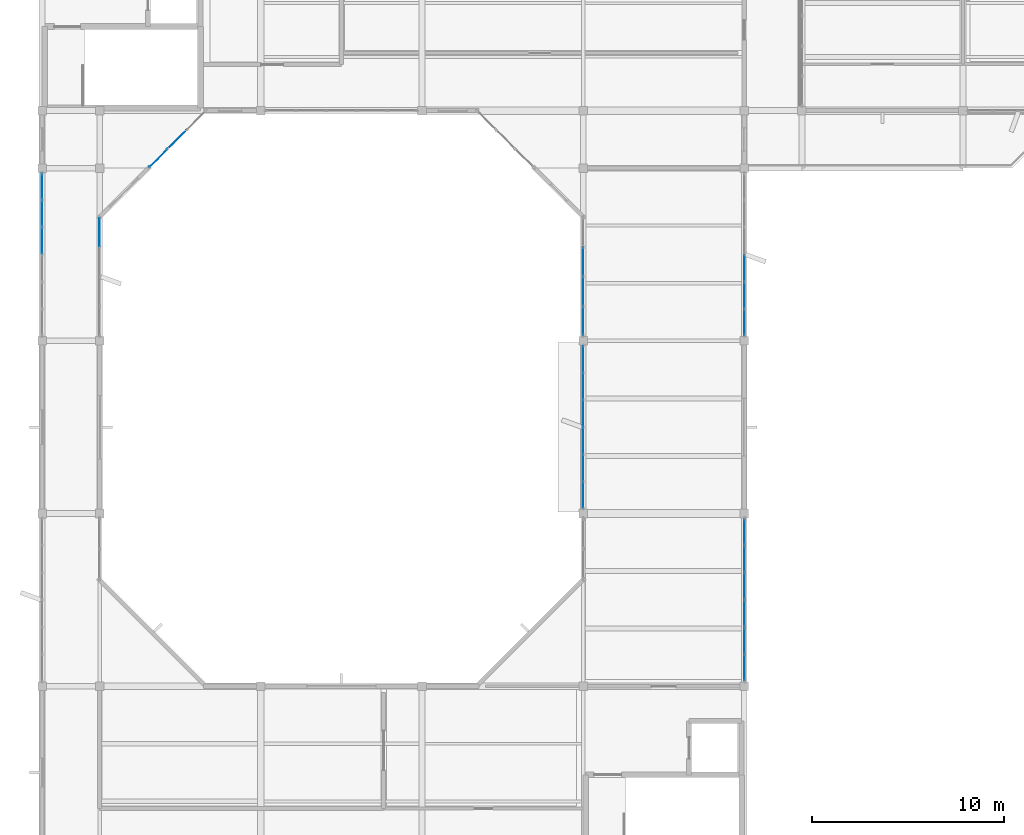
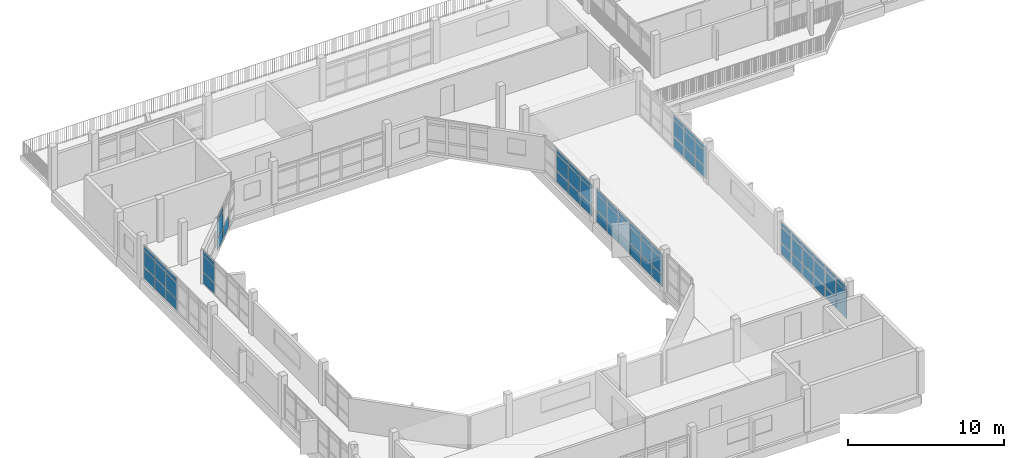
# One storey, part 16 of 33: 70 plates, 7 elements without a shape of their own.
"""IFC4 building model written with IfcOpenShell, lengths in metres."""

import ifcopenshell
import ifcopenshell.guid

model = None  # the IFC model being written
_history = None  # IfcOwnerHistory: only IFC2X3 demands one
_inside = {}  # id of a spatial element -> (the spatial element, [elements in it])
_under = {}  # id of a project, library or spatial element -> (it, [spatial elements below it])
_declared = {}  # id of a project -> (the project, [libraries it declares])
_typed = {}  # id of a type object -> (the type object, [elements of that type])
_made_of = {}  # id of a material, layer set ... -> (it, [elements and type objects made of it])


def new_model(schema):
    """Start an empty IFC model of exactly this schema.

    Asked for "IFC4X3", IfcOpenShell would pick the latest addendum, in which some entities
    have other attributes; the version numbers below select the first issue.
    IFC2X3 requires an IfcOwnerHistory on every rooted entity: one is made here for all.
    """
    global model, _history
    if schema == "IFC4X3":
        model = ifcopenshell.file(schema_version=(4, 3, 0, 0))
    else:
        model = ifcopenshell.file(schema=schema)
    _inside.clear()
    _under.clear()
    _declared.clear()
    _typed.clear()
    _made_of.clear()
    _history = None
    if model.schema == "IFC2X3":
        org = make("IfcOrganization", Name="unknown")
        user = make(
            "IfcPersonAndOrganization",
            ThePerson=make("IfcPerson", FamilyName="unknown"),
            TheOrganization=org,
        )
        app = make(
            "IfcApplication",
            ApplicationDeveloper=org,
            Version="unknown",
            ApplicationFullName="unknown",
            ApplicationIdentifier="unknown",
        )
        _history = make(
            "IfcOwnerHistory",
            OwningUser=user,
            OwningApplication=app,
            ChangeAction="ADDED",
            CreationDate=0,
        )
    return model


def make(cls, **values):
    """One entity of the class cls with the attributes given. An attribute that is None is left unset."""
    return model.create_entity(
        cls, **{name: value for name, value in values.items() if value is not None}
    )


def rooted(cls, **values):
    """An entity with a GlobalId (a new one), such as an element, a storey or a relation."""
    return make(cls, GlobalId=ifcopenshell.guid.new(), OwnerHistory=_history, **values)


def si_unit(unit_type, name, prefix=None):
    """IfcSIUnit, for example si_unit("LENGTHUNIT", "METRE", prefix="MILLI")."""
    return make("IfcSIUnit", UnitType=unit_type, Prefix=prefix, Name=name)


def assignment(units):
    """IfcUnitAssignment: the units of a project."""
    return None if units is None else make("IfcUnitAssignment", Units=units)


def point(xyz):
    """IfcCartesianPoint."""
    return None if xyz is None else make("IfcCartesianPoint", Coordinates=xyz)


def direction(xyz):
    """IfcDirection."""
    return None if xyz is None else make("IfcDirection", DirectionRatios=xyz)


def frame(location, z_axis=None, x_axis=None):
    """IfcAxis2Placement3D, a coordinate frame: its origin and axes. An axis left out is left unset."""
    return make(
        "IfcAxis2Placement3D",
        Location=point(location),
        Axis=direction(z_axis),
        RefDirection=direction(x_axis),
    )


def frame_2d(location, x_axis=None):
    """IfcAxis2Placement2D, a coordinate frame in the plane: its origin and x axis."""
    return make(
        "IfcAxis2Placement2D", Location=point(location), RefDirection=direction(x_axis)
    )


def origin():
    """The frame at (0, 0, 0) with its axes left unset."""
    return frame((0.0, 0.0, 0.0))


def origin_2d():
    """The frame at (0, 0) in the plane with its x axis left unset."""
    return frame_2d((0.0, 0.0))


def place(relative_to, where):
    """IfcLocalPlacement: puts the frame where relative to a parent placement (None: the world)."""
    return make(
        "IfcLocalPlacement", PlacementRelTo=relative_to, RelativePlacement=where
    )


def context(
    kind, dimensions, precision=None, world=None, true_north=None, identifier=None
):
    """IfcGeometricRepresentationContext, for example the 3D "Model" context."""
    return make(
        "IfcGeometricRepresentationContext",
        ContextIdentifier=identifier,
        ContextType=kind,
        CoordinateSpaceDimension=dimensions,
        Precision=precision,
        WorldCoordinateSystem=world,
        TrueNorth=true_north,
    )


def subcontext(parent, identifier, kind, view, scale=None):
    """IfcGeometricRepresentationSubContext, for example "Body" below "Model"."""
    return make(
        "IfcGeometricRepresentationSubContext",
        ContextIdentifier=identifier,
        ContextType=kind,
        ParentContext=parent,
        TargetScale=scale,
        TargetView=view,
    )


def project(units=None, contexts=None):
    """IfcProject with its units and contexts."""
    return rooted(
        "IfcProject",
        Name="project",
        RepresentationContexts=contexts,
        UnitsInContext=assignment(units),
    )


def spatial(cls, under=None, at=None, **own):
    """A site, building, storey or space (cls), placed at a placement, below another one or the project."""
    s = rooted(cls, ObjectPlacement=at, **own)
    if under is not None:
        _under.setdefault(under.id(), (under, []))[1].append(s)
    return s


def profile(cls, at=None, kind="AREA", **sizes):
    """A parametric profile (cls). Its sizes go by their IFC names, for example OverallWidth=200.0."""
    return make(cls, ProfileType=kind, Position=at, **sizes)


def rectangle(**sizes):
    """IfcRectangleProfileDef."""
    return profile("IfcRectangleProfileDef", **sizes)


def extrude(swept, where, along, depth):
    """IfcExtrudedAreaSolid: the profile swept, set in the frame where, extruded along a direction by depth."""
    return make(
        "IfcExtrudedAreaSolid",
        SweptArea=swept,
        Position=where,
        ExtrudedDirection=direction(along),
        Depth=depth,
    )


def shape(context_of_items, identifier, shape_type, items):
    """IfcShapeRepresentation: the items that make up one representation, for example the "Body"."""
    return make(
        "IfcShapeRepresentation",
        ContextOfItems=context_of_items,
        RepresentationIdentifier=identifier,
        RepresentationType=shape_type,
        Items=items,
    )


def material(Name=None, Category=None):
    """IfcMaterial."""
    return make("IfcMaterial", Name=Name, Category=Category)


def layer(
    of_material, thickness, ventilated=None, Name=None, Category=None, Priority=None
):
    """IfcMaterialLayer: one layer of a wall or slab, of a material (None: an air gap)."""
    return make(
        "IfcMaterialLayer",
        Material=of_material,
        LayerThickness=thickness,
        IsVentilated=ventilated,
        Name=Name,
        Category=Category,
        Priority=Priority,
    )


def layer_set(layers, Name=None):
    """IfcMaterialLayerSet."""
    return make("IfcMaterialLayerSet", MaterialLayers=layers, LayerSetName=Name)


def made_of(thing, what):
    """Note that an element or type object is made of a material, layer set ...; save() writes the relation."""
    if what is not None:
        _made_of.setdefault(what.id(), (what, []))[1].append(thing)
    return thing


def type_object(cls, material=None, **own):
    """A type object (cls), such as IfcWallType, which elements share."""
    return made_of(rooted(cls, **own), material)


def element(
    cls,
    number,
    at=None,
    inside=None,
    cuts=None,
    type_object=None,
    material=None,
    context=None,
    identifier="Body",
    shape_type=None,
    held_by="IfcProductDefinitionShape",
    body=None,
    shapes=None,
    **own,
):
    """One element of the class cls, such as IfcWall. Its Tag is "e" and its number.

    at: its placement. inside: the storey or other place that contains it. cuts: it is an
    opening in that element (IfcRelVoidsElement). A single representation is given by context,
    identifier, shape_type and body (its items); several are given by shapes. held_by: the class
    of the entity that holds the representations. save() writes the other relations.
    """
    e = rooted(cls, Tag="e%d" % number, ObjectPlacement=at, **own)
    if body is not None:
        shapes = [shape(context, identifier, shape_type, body)]
    if shapes is not None:
        e.Representation = make(held_by, Representations=shapes)
    if inside is not None:
        _inside.setdefault(inside.id(), (inside, []))[1].append(e)
    if cuts is not None:
        rooted(
            "IfcRelVoidsElement", RelatingBuildingElement=cuts, RelatedOpeningElement=e
        )
    if type_object is not None:
        _typed.setdefault(type_object.id(), (type_object, []))[1].append(e)
    return made_of(e, material)


def aggregate(whole, parts):
    """IfcRelAggregates: a whole, such as a stair, and the parts it consists of."""
    return rooted("IfcRelAggregates", RelatingObject=whole, RelatedObjects=parts)


def save(model, path):
    """Write the relations noted so far, then the file.

    IfcRelAggregates (storeys below a building ...), IfcRelContainedInSpatialStructure (elements
    in a storey), IfcRelDefinesByType, IfcRelAssociatesMaterial and IfcRelDeclares: one each for
    every whole, place, type object, material and project.
    """
    for whole, parts in _under.values():
        aggregate(whole, parts)
    for where, things in _inside.values():
        rooted(
            "IfcRelContainedInSpatialStructure",
            RelatedElements=things,
            RelatingStructure=where,
        )
    for kind, things in _typed.values():
        rooted("IfcRelDefinesByType", RelatedObjects=things, RelatingType=kind)
    for what, things in _made_of.values():
        rooted("IfcRelAssociatesMaterial", RelatedObjects=things, RelatingMaterial=what)
    for by, libraries in _declared.values():
        rooted("IfcRelDeclares", RelatingContext=by, RelatedDefinitions=libraries)
    model.write(path)


model = new_model("IFC4")

# Units and contexts
model_context = context("Model", 3, precision=1e-05, world=origin(), true_north=direction((0.0, 1.0)))
body_context = subcontext(model_context, "Body", "Model", "MODEL_VIEW")
ifc_project = project(units=[si_unit("LENGTHUNIT", "METRE"), si_unit("AREAUNIT", "SQUARE_METRE"), si_unit("VOLUMEUNIT", "CUBIC_METRE"), si_unit("PLANEANGLEUNIT", "RADIAN"), si_unit("MASSUNIT", "GRAM", prefix="KILO")], contexts=[model_context])

# Site, building, storey
site_placement = place(None, origin())
site = spatial("IfcSite", under=ifc_project, at=site_placement, CompositionType="ELEMENT")
building_placement = place(site_placement, origin())
building = spatial("IfcBuilding", under=site, at=building_placement, Name="Vanh Quang Courtyard School", CompositionType="ELEMENT")
storey_placement = place(building_placement, frame((0.0, 0.0, 18.60009765625)))
storey = spatial("IfcBuildingStorey", under=building, at=storey_placement, Name="L05", CompositionType="ELEMENT", Elevation=18.60009765625)

# Curtain wall, plates
ifc_material_1 = material(Name="Thermally broken aluminium unitised curtain wall", Category="aluminium")
curtain_wall_type_1 = type_object("IfcCurtainWallType", Name="CW-SYS-50", PredefinedType="NOTDEFINED", material=ifc_material_1)
curtain_wall_1_placement = place(storey_placement, origin())
curtain_wall_1 = element("IfcCurtainWall", 1, at=curtain_wall_1_placement, inside=storey, type_object=curtain_wall_type_1, Name="Curtain Wall CW-50 (L05)", PredefinedType="NOTDEFINED")
ifc_material_2 = material(Name="Low-E laminated double glazing", Category="glass")
ifc_layer_1 = layer(ifc_material_2, 0.028076171875)
ifc_layer_set_1 = layer_set([ifc_layer_1], Name="Low-E laminated double glazing")
plate_type_1 = type_object("IfcPlateType", Name="CW-PNL-28", PredefinedType="CURTAIN_PANEL", material=ifc_layer_set_1)
plate_1_placement = place(storey_placement, frame((74.39990234375, 63.188720703125, 0.06982421875), z_axis=(0.0, 0.0, 1.0), x_axis=(0.0, -1.0, 0.0)))
plate_1 = element("IfcPlate", 2, at=plate_1_placement, type_object=plate_type_1, Name="CW-50 panel 4.1", PredefinedType="CURTAIN_PANEL", context=body_context, shape_type="SweptSolid", body=[
    extrude(rectangle(XDim=1.352294921875, YDim=0.028076171875, at=origin_2d()), origin(), (0.0, 0.0, 1.0), 0.844970703125),
])
plate_2_placement = place(storey_placement, frame((74.39990234375, 63.188720703125, 0.98486328125), z_axis=(0.0, 0.0, 1.0), x_axis=(0.0, -1.0, 0.0)))
plate_2 = element("IfcPlate", 3, at=plate_2_placement, type_object=plate_type_1, Name="CW-50 panel 4.2", PredefinedType="CURTAIN_PANEL", context=body_context, shape_type="SweptSolid", body=[
    extrude(rectangle(XDim=1.352294921875, YDim=0.028076171875, at=origin_2d()), origin(), (0.0, 0.0, 1.0), 1.22998046875),
])
plate_3_placement = place(storey_placement, frame((74.39990234375, 63.188720703125, 2.284912109375), z_axis=(0.0, 0.0, 1.0), x_axis=(0.0, -1.0, 0.0)))
plate_3 = element("IfcPlate", 4, at=plate_3_placement, type_object=plate_type_1, Name="CW-50 panel 4.3", PredefinedType="CURTAIN_PANEL", context=body_context, shape_type="SweptSolid", body=[
    extrude(rectangle(XDim=1.352294921875, YDim=0.028076171875, at=origin_2d()), origin(), (0.0, 0.0, 1.0), 0.294921875),
])
plate_4_placement = place(storey_placement, frame((74.39990234375, 61.7666015625, 0.06982421875), z_axis=(0.0, 0.0, 1.0), x_axis=(0.0, -1.0, 0.0)))
plate_4 = element("IfcPlate", 5, at=plate_4_placement, type_object=plate_type_1, Name="CW-50 panel 5.1", PredefinedType="CURTAIN_PANEL", context=body_context, shape_type="SweptSolid", body=[
    extrude(rectangle(XDim=1.352294921875, YDim=0.028076171875, at=origin_2d()), origin(), (0.0, 0.0, 1.0), 0.844970703125),
])
plate_5_placement = place(storey_placement, frame((74.39990234375, 61.7666015625, 0.98486328125), z_axis=(0.0, 0.0, 1.0), x_axis=(0.0, -1.0, 0.0)))
plate_5 = element("IfcPlate", 6, at=plate_5_placement, type_object=plate_type_1, Name="CW-50 panel 5.2", PredefinedType="CURTAIN_PANEL", context=body_context, shape_type="SweptSolid", body=[
    extrude(rectangle(XDim=1.352294921875, YDim=0.028076171875, at=origin_2d()), origin(), (0.0, 0.0, 1.0), 1.22998046875),
])
plate_6_placement = place(storey_placement, frame((74.39990234375, 61.7666015625, 2.284912109375), z_axis=(0.0, 0.0, 1.0), x_axis=(0.0, -1.0, 0.0)))
plate_6 = element("IfcPlate", 7, at=plate_6_placement, type_object=plate_type_1, Name="CW-50 panel 5.3", PredefinedType="CURTAIN_PANEL", context=body_context, shape_type="SweptSolid", body=[
    extrude(rectangle(XDim=1.352294921875, YDim=0.028076171875, at=origin_2d()), origin(), (0.0, 0.0, 1.0), 0.294921875),
])
plate_7_placement = place(storey_placement, frame((74.39990234375, 60.361572265625, 0.06982421875), z_axis=(0.0, 0.0, 1.0), x_axis=(0.0, -1.0, 0.0)))
plate_7 = element("IfcPlate", 8, at=plate_7_placement, type_object=plate_type_1, Name="CW-50 panel 6.1", PredefinedType="CURTAIN_PANEL", context=body_context, shape_type="SweptSolid", body=[
    extrude(rectangle(XDim=1.3173828125, YDim=0.028076171875, at=origin_2d()), origin(), (0.0, 0.0, 1.0), 0.844970703125),
])
plate_8_placement = place(storey_placement, frame((74.39990234375, 60.361572265625, 0.98486328125), z_axis=(0.0, 0.0, 1.0), x_axis=(0.0, -1.0, 0.0)))
plate_8 = element("IfcPlate", 9, at=plate_8_placement, type_object=plate_type_1, Name="CW-50 panel 6.2", PredefinedType="CURTAIN_PANEL", context=body_context, shape_type="SweptSolid", body=[
    extrude(rectangle(XDim=1.3173828125, YDim=0.028076171875, at=origin_2d()), origin(), (0.0, 0.0, 1.0), 1.22998046875),
])
plate_9_placement = place(storey_placement, frame((74.39990234375, 60.361572265625, 2.284912109375), z_axis=(0.0, 0.0, 1.0), x_axis=(0.0, -1.0, 0.0)))
plate_9 = element("IfcPlate", 10, at=plate_9_placement, type_object=plate_type_1, Name="CW-50 panel 6.3", PredefinedType="CURTAIN_PANEL", context=body_context, shape_type="SweptSolid", body=[
    extrude(rectangle(XDim=1.3173828125, YDim=0.028076171875, at=origin_2d()), origin(), (0.0, 0.0, 1.0), 0.294921875),
])
aggregate(curtain_wall_1, [plate_1, plate_2, plate_3, plate_4, plate_5, plate_6, plate_7, plate_8, plate_9])

curtain_wall_type_2 = type_object("IfcCurtainWallType", Name="CW-SYS-44", PredefinedType="NOTDEFINED", material=ifc_material_1)
curtain_wall_2_placement = place(storey_placement, origin())
curtain_wall_2 = element("IfcCurtainWall", 11, at=curtain_wall_2_placement, inside=storey, type_object=curtain_wall_type_2, Name="Curtain Wall CW-44 (L05)", PredefinedType="NOTDEFINED")
plate_10_placement = place(storey_placement, frame((40.800048828125, 65.063232421875, 0.06005859375), z_axis=(0.0, 0.0, 1.0), x_axis=(0.0, -1.0, 0.0)))
plate_10 = element("IfcPlate", 12, at=plate_10_placement, type_object=plate_type_1, Name="CW-44 panel 1.1", PredefinedType="CURTAIN_PANEL", context=body_context, shape_type="SweptSolid", body=[
    extrude(rectangle(XDim=1.4658203125, YDim=0.028076171875, at=origin_2d()), origin(), (0.0, 0.0, 1.0), 0.860107421875),
])
plate_11_placement = place(storey_placement, frame((40.800048828125, 65.063232421875, 0.97998046875), z_axis=(0.0, 0.0, 1.0), x_axis=(0.0, -1.0, 0.0)))
plate_11 = element("IfcPlate", 13, at=plate_11_placement, type_object=plate_type_1, Name="CW-44 panel 1.2", PredefinedType="CURTAIN_PANEL", context=body_context, shape_type="SweptSolid", body=[
    extrude(rectangle(XDim=1.4658203125, YDim=0.028076171875, at=origin_2d()), origin(), (0.0, 0.0, 1.0), 1.239990234375),
])
plate_12_placement = place(storey_placement, frame((40.800048828125, 65.063232421875, 2.27978515625), z_axis=(0.0, 0.0, 1.0), x_axis=(0.0, -1.0, 0.0)))
plate_12 = element("IfcPlate", 14, at=plate_12_placement, type_object=plate_type_1, Name="CW-44 panel 1.3", PredefinedType="CURTAIN_PANEL", context=body_context, shape_type="SweptSolid", body=[
    extrude(rectangle(XDim=1.4658203125, YDim=0.028076171875, at=origin_2d()), origin(), (0.0, 0.0, 1.0), 0.31005859375),
])
aggregate(curtain_wall_2, [plate_10, plate_11, plate_12])

curtain_wall_3_placement = place(storey_placement, origin())
curtain_wall_3 = element("IfcCurtainWall", 15, at=curtain_wall_3_placement, inside=storey, type_object=curtain_wall_type_2, Name="Curtain Wall CW-44 (L05)", PredefinedType="NOTDEFINED")
plate_13_placement = place(storey_placement, frame((66.0, 60.428466796875, 0.06982421875), z_axis=(0.0, 0.0, 1.0), x_axis=(0.0, 1.0, 0.0)))
plate_13 = element("IfcPlate", 16, at=plate_13_placement, type_object=plate_type_1, Name="CW-44 panel 1.1", PredefinedType="CURTAIN_PANEL", context=body_context, shape_type="SweptSolid", body=[
    extrude(rectangle(XDim=1.45068359375, YDim=0.028076171875, at=origin_2d()), origin(), (0.0, 0.0, 1.0), 0.844970703125),
])
plate_14_placement = place(storey_placement, frame((66.0, 60.428466796875, 0.98486328125), z_axis=(0.0, 0.0, 1.0), x_axis=(0.0, 1.0, 0.0)))
plate_14 = element("IfcPlate", 17, at=plate_14_placement, type_object=plate_type_1, Name="CW-44 panel 1.2", PredefinedType="CURTAIN_PANEL", context=body_context, shape_type="SweptSolid", body=[
    extrude(rectangle(XDim=1.45068359375, YDim=0.028076171875, at=origin_2d()), origin(), (0.0, 0.0, 1.0), 1.22998046875),
])
plate_15_placement = place(storey_placement, frame((66.0, 60.428466796875, 2.284912109375), z_axis=(0.0, 0.0, 1.0), x_axis=(0.0, 1.0, 0.0)))
plate_15 = element("IfcPlate", 18, at=plate_15_placement, type_object=plate_type_1, Name="CW-44 panel 1.3", PredefinedType="CURTAIN_PANEL", context=body_context, shape_type="SweptSolid", body=[
    extrude(rectangle(XDim=1.45068359375, YDim=0.028076171875, at=origin_2d()), origin(), (0.0, 0.0, 1.0), 0.294921875),
])
plate_16_placement = place(storey_placement, frame((66.0, 61.966552734375, 0.06982421875), z_axis=(0.0, 0.0, 1.0), x_axis=(0.0, 1.0, 0.0)))
plate_16 = element("IfcPlate", 19, at=plate_16_placement, type_object=plate_type_1, Name="CW-44 panel 2.1", PredefinedType="CURTAIN_PANEL", context=body_context, shape_type="SweptSolid", body=[
    extrude(rectangle(XDim=1.48583984375, YDim=0.028076171875, at=origin_2d()), origin(), (0.0, 0.0, 1.0), 0.844970703125),
])
plate_17_placement = place(storey_placement, frame((66.0, 61.966552734375, 0.98486328125), z_axis=(0.0, 0.0, 1.0), x_axis=(0.0, 1.0, 0.0)))
plate_17 = element("IfcPlate", 20, at=plate_17_placement, type_object=plate_type_1, Name="CW-44 panel 2.2", PredefinedType="CURTAIN_PANEL", context=body_context, shape_type="SweptSolid", body=[
    extrude(rectangle(XDim=1.48583984375, YDim=0.028076171875, at=origin_2d()), origin(), (0.0, 0.0, 1.0), 1.22998046875),
])
plate_18_placement = place(storey_placement, frame((66.0, 61.966552734375, 2.284912109375), z_axis=(0.0, 0.0, 1.0), x_axis=(0.0, 1.0, 0.0)))
plate_18 = element("IfcPlate", 21, at=plate_18_placement, type_object=plate_type_1, Name="CW-44 panel 2.3", PredefinedType="CURTAIN_PANEL", context=body_context, shape_type="SweptSolid", body=[
    extrude(rectangle(XDim=1.48583984375, YDim=0.028076171875, at=origin_2d()), origin(), (0.0, 0.0, 1.0), 0.294921875),
])
plate_19_placement = place(storey_placement, frame((66.0, 63.5224609375, 0.06982421875), z_axis=(0.0, 0.0, 1.0), x_axis=(0.0, 1.0, 0.0)))
plate_19 = element("IfcPlate", 22, at=plate_19_placement, type_object=plate_type_1, Name="CW-44 panel 3.1", PredefinedType="CURTAIN_PANEL", context=body_context, shape_type="SweptSolid", body=[
    extrude(rectangle(XDim=1.48583984375, YDim=0.028076171875, at=origin_2d()), origin(), (0.0, 0.0, 1.0), 0.844970703125),
])
plate_20_placement = place(storey_placement, frame((66.0, 63.5224609375, 0.98486328125), z_axis=(0.0, 0.0, 1.0), x_axis=(0.0, 1.0, 0.0)))
plate_20 = element("IfcPlate", 23, at=plate_20_placement, type_object=plate_type_1, Name="CW-44 panel 3.2", PredefinedType="CURTAIN_PANEL", context=body_context, shape_type="SweptSolid", body=[
    extrude(rectangle(XDim=1.48583984375, YDim=0.028076171875, at=origin_2d()), origin(), (0.0, 0.0, 1.0), 1.22998046875),
])
plate_21_placement = place(storey_placement, frame((66.0, 63.5224609375, 2.284912109375), z_axis=(0.0, 0.0, 1.0), x_axis=(0.0, 1.0, 0.0)))
plate_21 = element("IfcPlate", 24, at=plate_21_placement, type_object=plate_type_1, Name="CW-44 panel 3.3", PredefinedType="CURTAIN_PANEL", context=body_context, shape_type="SweptSolid", body=[
    extrude(rectangle(XDim=1.48583984375, YDim=0.028076171875, at=origin_2d()), origin(), (0.0, 0.0, 1.0), 0.294921875),
])
aggregate(curtain_wall_3, [plate_13, plate_14, plate_15, plate_16, plate_17, plate_18, plate_19, plate_20, plate_21])

curtain_wall_4_placement = place(storey_placement, origin())
curtain_wall_4 = element("IfcCurtainWall", 25, at=curtain_wall_4_placement, inside=storey, type_object=curtain_wall_type_1, Name="Curtain Wall CW-50 (L05)", PredefinedType="NOTDEFINED")
ifc_layer_2 = layer(ifc_material_2, 0.031982421875)
ifc_layer_set_2 = layer_set([ifc_layer_2], Name="Low-E laminated double glazing")
plate_type_2 = type_object("IfcPlateType", Name="CW-PNL-32", PredefinedType="CURTAIN_PANEL", material=ifc_layer_set_2)
plate_22_placement = place(storey_placement, frame((37.800048828125, 64.611083984375, 0.06982421875), z_axis=(0.0, 0.0, 1.0), x_axis=(0.0, 1.0, 0.0)))
plate_22 = element("IfcPlate", 26, at=plate_22_placement, type_object=plate_type_2, Name="CW-50 panel 4.1", PredefinedType="CURTAIN_PANEL", context=body_context, shape_type="SweptSolid", body=[
    extrude(rectangle(XDim=1.352294921875, YDim=0.031982421875, at=origin_2d()), origin(), (0.0, 0.0, 1.0), 0.844970703125),
])
plate_23_placement = place(storey_placement, frame((37.800048828125, 64.611083984375, 0.98486328125), z_axis=(0.0, 0.0, 1.0), x_axis=(0.0, 1.0, 0.0)))
plate_23 = element("IfcPlate", 27, at=plate_23_placement, type_object=plate_type_2, Name="CW-50 panel 4.2", PredefinedType="CURTAIN_PANEL", context=body_context, shape_type="SweptSolid", body=[
    extrude(rectangle(XDim=1.352294921875, YDim=0.031982421875, at=origin_2d()), origin(), (0.0, 0.0, 1.0), 1.22998046875),
])
plate_24_placement = place(storey_placement, frame((37.800048828125, 64.611083984375, 2.284912109375), z_axis=(0.0, 0.0, 1.0), x_axis=(0.0, 1.0, 0.0)))
plate_24 = element("IfcPlate", 28, at=plate_24_placement, type_object=plate_type_2, Name="CW-50 panel 4.3", PredefinedType="CURTAIN_PANEL", context=body_context, shape_type="SweptSolid", body=[
    extrude(rectangle(XDim=1.352294921875, YDim=0.031982421875, at=origin_2d()), origin(), (0.0, 0.0, 1.0), 0.294921875),
])
plate_25_placement = place(storey_placement, frame((37.800048828125, 66.033447265625, 0.06982421875), z_axis=(0.0, 0.0, 1.0), x_axis=(0.0, 1.0, 0.0)))
plate_25 = element("IfcPlate", 29, at=plate_25_placement, type_object=plate_type_2, Name="CW-50 panel 5.1", PredefinedType="CURTAIN_PANEL", context=body_context, shape_type="SweptSolid", body=[
    extrude(rectangle(XDim=1.352294921875, YDim=0.031982421875, at=origin_2d()), origin(), (0.0, 0.0, 1.0), 0.844970703125),
])
plate_26_placement = place(storey_placement, frame((37.800048828125, 66.033447265625, 0.98486328125), z_axis=(0.0, 0.0, 1.0), x_axis=(0.0, 1.0, 0.0)))
plate_26 = element("IfcPlate", 30, at=plate_26_placement, type_object=plate_type_2, Name="CW-50 panel 5.2", PredefinedType="CURTAIN_PANEL", context=body_context, shape_type="SweptSolid", body=[
    extrude(rectangle(XDim=1.352294921875, YDim=0.031982421875, at=origin_2d()), origin(), (0.0, 0.0, 1.0), 1.22998046875),
])
plate_27_placement = place(storey_placement, frame((37.800048828125, 66.033447265625, 2.284912109375), z_axis=(0.0, 0.0, 1.0), x_axis=(0.0, 1.0, 0.0)))
plate_27 = element("IfcPlate", 31, at=plate_27_placement, type_object=plate_type_2, Name="CW-50 panel 5.3", PredefinedType="CURTAIN_PANEL", context=body_context, shape_type="SweptSolid", body=[
    extrude(rectangle(XDim=1.352294921875, YDim=0.031982421875, at=origin_2d()), origin(), (0.0, 0.0, 1.0), 0.294921875),
])
plate_28_placement = place(storey_placement, frame((37.800048828125, 67.438232421875, 0.06982421875), z_axis=(0.0, 0.0, 1.0), x_axis=(0.0, 1.0, 0.0)))
plate_28 = element("IfcPlate", 32, at=plate_28_placement, type_object=plate_type_2, Name="CW-50 panel 6.1", PredefinedType="CURTAIN_PANEL", context=body_context, shape_type="SweptSolid", body=[
    extrude(rectangle(XDim=1.3173828125, YDim=0.031982421875, at=origin_2d()), origin(), (0.0, 0.0, 1.0), 0.844970703125),
])
plate_29_placement = place(storey_placement, frame((37.800048828125, 67.438232421875, 0.98486328125), z_axis=(0.0, 0.0, 1.0), x_axis=(0.0, 1.0, 0.0)))
plate_29 = element("IfcPlate", 33, at=plate_29_placement, type_object=plate_type_2, Name="CW-50 panel 6.2", PredefinedType="CURTAIN_PANEL", context=body_context, shape_type="SweptSolid", body=[
    extrude(rectangle(XDim=1.3173828125, YDim=0.031982421875, at=origin_2d()), origin(), (0.0, 0.0, 1.0), 1.22998046875),
])
plate_30_placement = place(storey_placement, frame((37.800048828125, 67.438232421875, 2.284912109375), z_axis=(0.0, 0.0, 1.0), x_axis=(0.0, 1.0, 0.0)))
plate_30 = element("IfcPlate", 34, at=plate_30_placement, type_object=plate_type_2, Name="CW-50 panel 6.3", PredefinedType="CURTAIN_PANEL", context=body_context, shape_type="SweptSolid", body=[
    extrude(rectangle(XDim=1.3173828125, YDim=0.031982421875, at=origin_2d()), origin(), (0.0, 0.0, 1.0), 0.294921875),
])
aggregate(curtain_wall_4, [plate_22, plate_23, plate_24, plate_25, plate_26, plate_27, plate_28, plate_29, plate_30])

curtain_wall_5_placement = place(storey_placement, origin())
curtain_wall_5 = element("IfcCurtainWall", 35, at=curtain_wall_5_placement, inside=storey, type_object=curtain_wall_type_1, Name="Curtain Wall CW-50 (L05)", PredefinedType="NOTDEFINED")
plate_31_placement = place(storey_placement, frame((74.39990234375, 49.435791015625, 0.079833984375), z_axis=(0.0, 0.0, 1.0), x_axis=(0.0, -1.0, 0.0)))
plate_31 = element("IfcPlate", 36, at=plate_31_placement, type_object=plate_type_2, Name="CW-50 panel 1.1", PredefinedType="CURTAIN_PANEL", context=body_context, shape_type="SweptSolid", body=[
    extrude(rectangle(XDim=1.30224609375, YDim=0.031982421875, at=origin_2d()), origin(), (0.0, 0.0, 1.0), 0.830078125),
])
plate_32_placement = place(storey_placement, frame((74.39990234375, 49.435791015625, 0.98974609375), z_axis=(0.0, 0.0, 1.0), x_axis=(0.0, -1.0, 0.0)))
plate_32 = element("IfcPlate", 37, at=plate_32_placement, type_object=plate_type_2, Name="CW-50 panel 1.2", PredefinedType="CURTAIN_PANEL", context=body_context, shape_type="SweptSolid", body=[
    extrude(rectangle(XDim=1.30224609375, YDim=0.031982421875, at=origin_2d()), origin(), (0.0, 0.0, 1.0), 1.219970703125),
])
plate_33_placement = place(storey_placement, frame((74.39990234375, 49.435791015625, 2.2900390625), z_axis=(0.0, 0.0, 1.0), x_axis=(0.0, -1.0, 0.0)))
plate_33 = element("IfcPlate", 38, at=plate_33_placement, type_object=plate_type_2, Name="CW-50 panel 1.3", PredefinedType="CURTAIN_PANEL", context=body_context, shape_type="SweptSolid", body=[
    extrude(rectangle(XDim=1.30224609375, YDim=0.031982421875, at=origin_2d()), origin(), (0.0, 0.0, 1.0), 0.280029296875),
])
plate_34_placement = place(storey_placement, frame((74.39990234375, 48.033447265625, 0.079833984375), z_axis=(0.0, 0.0, 1.0), x_axis=(0.0, -1.0, 0.0)))
plate_34 = element("IfcPlate", 39, at=plate_34_placement, type_object=plate_type_2, Name="CW-50 panel 2.1", PredefinedType="CURTAIN_PANEL", context=body_context, shape_type="SweptSolid", body=[
    extrude(rectangle(XDim=1.34228515625, YDim=0.031982421875, at=origin_2d()), origin(), (0.0, 0.0, 1.0), 0.830078125),
])
plate_35_placement = place(storey_placement, frame((74.39990234375, 48.033447265625, 0.98974609375), z_axis=(0.0, 0.0, 1.0), x_axis=(0.0, -1.0, 0.0)))
plate_35 = element("IfcPlate", 40, at=plate_35_placement, type_object=plate_type_2, Name="CW-50 panel 2.2", PredefinedType="CURTAIN_PANEL", context=body_context, shape_type="SweptSolid", body=[
    extrude(rectangle(XDim=1.34228515625, YDim=0.031982421875, at=origin_2d()), origin(), (0.0, 0.0, 1.0), 1.219970703125),
])
plate_36_placement = place(storey_placement, frame((74.39990234375, 48.033447265625, 2.2900390625), z_axis=(0.0, 0.0, 1.0), x_axis=(0.0, -1.0, 0.0)))
plate_36 = element("IfcPlate", 41, at=plate_36_placement, type_object=plate_type_2, Name="CW-50 panel 2.3", PredefinedType="CURTAIN_PANEL", context=body_context, shape_type="SweptSolid", body=[
    extrude(rectangle(XDim=1.34228515625, YDim=0.031982421875, at=origin_2d()), origin(), (0.0, 0.0, 1.0), 0.280029296875),
])
plate_37_placement = place(storey_placement, frame((74.39990234375, 46.611083984375, 0.079833984375), z_axis=(0.0, 0.0, 1.0), x_axis=(0.0, -1.0, 0.0)))
plate_37 = element("IfcPlate", 42, at=plate_37_placement, type_object=plate_type_2, Name="CW-50 panel 3.1", PredefinedType="CURTAIN_PANEL", context=body_context, shape_type="SweptSolid", body=[
    extrude(rectangle(XDim=1.34228515625, YDim=0.031982421875, at=origin_2d()), origin(), (0.0, 0.0, 1.0), 0.830078125),
])
plate_38_placement = place(storey_placement, frame((74.39990234375, 46.611083984375, 0.98974609375), z_axis=(0.0, 0.0, 1.0), x_axis=(0.0, -1.0, 0.0)))
plate_38 = element("IfcPlate", 43, at=plate_38_placement, type_object=plate_type_2, Name="CW-50 panel 3.2", PredefinedType="CURTAIN_PANEL", context=body_context, shape_type="SweptSolid", body=[
    extrude(rectangle(XDim=1.34228515625, YDim=0.031982421875, at=origin_2d()), origin(), (0.0, 0.0, 1.0), 1.219970703125),
])
plate_39_placement = place(storey_placement, frame((74.39990234375, 46.611083984375, 2.2900390625), z_axis=(0.0, 0.0, 1.0), x_axis=(0.0, -1.0, 0.0)))
plate_39 = element("IfcPlate", 44, at=plate_39_placement, type_object=plate_type_2, Name="CW-50 panel 3.3", PredefinedType="CURTAIN_PANEL", context=body_context, shape_type="SweptSolid", body=[
    extrude(rectangle(XDim=1.34228515625, YDim=0.031982421875, at=origin_2d()), origin(), (0.0, 0.0, 1.0), 0.280029296875),
])
plate_40_placement = place(storey_placement, frame((74.39990234375, 45.188720703125, 0.079833984375), z_axis=(0.0, 0.0, 1.0), x_axis=(0.0, -1.0, 0.0)))
plate_40 = element("IfcPlate", 45, at=plate_40_placement, type_object=plate_type_2, Name="CW-50 panel 4.1", PredefinedType="CURTAIN_PANEL", context=body_context, shape_type="SweptSolid", body=[
    extrude(rectangle(XDim=1.34228515625, YDim=0.031982421875, at=origin_2d()), origin(), (0.0, 0.0, 1.0), 0.830078125),
])
plate_41_placement = place(storey_placement, frame((74.39990234375, 45.188720703125, 0.98974609375), z_axis=(0.0, 0.0, 1.0), x_axis=(0.0, -1.0, 0.0)))
plate_41 = element("IfcPlate", 46, at=plate_41_placement, type_object=plate_type_2, Name="CW-50 panel 4.2", PredefinedType="CURTAIN_PANEL", context=body_context, shape_type="SweptSolid", body=[
    extrude(rectangle(XDim=1.34228515625, YDim=0.031982421875, at=origin_2d()), origin(), (0.0, 0.0, 1.0), 1.219970703125),
])
plate_42_placement = place(storey_placement, frame((74.39990234375, 45.188720703125, 2.2900390625), z_axis=(0.0, 0.0, 1.0), x_axis=(0.0, -1.0, 0.0)))
plate_42 = element("IfcPlate", 47, at=plate_42_placement, type_object=plate_type_2, Name="CW-50 panel 4.3", PredefinedType="CURTAIN_PANEL", context=body_context, shape_type="SweptSolid", body=[
    extrude(rectangle(XDim=1.34228515625, YDim=0.031982421875, at=origin_2d()), origin(), (0.0, 0.0, 1.0), 0.280029296875),
])
plate_43_placement = place(storey_placement, frame((74.39990234375, 43.7666015625, 0.079833984375), z_axis=(0.0, 0.0, 1.0), x_axis=(0.0, -1.0, 0.0)))
plate_43 = element("IfcPlate", 48, at=plate_43_placement, type_object=plate_type_2, Name="CW-50 panel 5.1", PredefinedType="CURTAIN_PANEL", context=body_context, shape_type="SweptSolid", body=[
    extrude(rectangle(XDim=1.34228515625, YDim=0.031982421875, at=origin_2d()), origin(), (0.0, 0.0, 1.0), 0.830078125),
])
plate_44_placement = place(storey_placement, frame((74.39990234375, 43.7666015625, 0.98974609375), z_axis=(0.0, 0.0, 1.0), x_axis=(0.0, -1.0, 0.0)))
plate_44 = element("IfcPlate", 49, at=plate_44_placement, type_object=plate_type_2, Name="CW-50 panel 5.2", PredefinedType="CURTAIN_PANEL", context=body_context, shape_type="SweptSolid", body=[
    extrude(rectangle(XDim=1.34228515625, YDim=0.031982421875, at=origin_2d()), origin(), (0.0, 0.0, 1.0), 1.219970703125),
])
plate_45_placement = place(storey_placement, frame((74.39990234375, 43.7666015625, 2.2900390625), z_axis=(0.0, 0.0, 1.0), x_axis=(0.0, -1.0, 0.0)))
plate_45 = element("IfcPlate", 50, at=plate_45_placement, type_object=plate_type_2, Name="CW-50 panel 5.3", PredefinedType="CURTAIN_PANEL", context=body_context, shape_type="SweptSolid", body=[
    extrude(rectangle(XDim=1.34228515625, YDim=0.031982421875, at=origin_2d()), origin(), (0.0, 0.0, 1.0), 0.280029296875),
])
plate_46_placement = place(storey_placement, frame((74.39990234375, 42.3642578125, 0.079833984375), z_axis=(0.0, 0.0, 1.0), x_axis=(0.0, -1.0, 0.0)))
plate_46 = element("IfcPlate", 51, at=plate_46_placement, type_object=plate_type_2, Name="CW-50 panel 6.1", PredefinedType="CURTAIN_PANEL", context=body_context, shape_type="SweptSolid", body=[
    extrude(rectangle(XDim=1.30224609375, YDim=0.031982421875, at=origin_2d()), origin(), (0.0, 0.0, 1.0), 0.830078125),
])
plate_47_placement = place(storey_placement, frame((74.39990234375, 42.3642578125, 0.98974609375), z_axis=(0.0, 0.0, 1.0), x_axis=(0.0, -1.0, 0.0)))
plate_47 = element("IfcPlate", 52, at=plate_47_placement, type_object=plate_type_2, Name="CW-50 panel 6.2", PredefinedType="CURTAIN_PANEL", context=body_context, shape_type="SweptSolid", body=[
    extrude(rectangle(XDim=1.30224609375, YDim=0.031982421875, at=origin_2d()), origin(), (0.0, 0.0, 1.0), 1.219970703125),
])
plate_48_placement = place(storey_placement, frame((74.39990234375, 42.3642578125, 2.2900390625), z_axis=(0.0, 0.0, 1.0), x_axis=(0.0, -1.0, 0.0)))
plate_48 = element("IfcPlate", 53, at=plate_48_placement, type_object=plate_type_2, Name="CW-50 panel 6.3", PredefinedType="CURTAIN_PANEL", context=body_context, shape_type="SweptSolid", body=[
    extrude(rectangle(XDim=1.30224609375, YDim=0.031982421875, at=origin_2d()), origin(), (0.0, 0.0, 1.0), 0.280029296875),
])
aggregate(curtain_wall_5, [plate_31, plate_32, plate_33, plate_34, plate_35, plate_36, plate_37, plate_38, plate_39, plate_40, plate_41, plate_42, plate_43, plate_44, plate_45, plate_46, plate_47, plate_48])

curtain_wall_6_placement = place(storey_placement, origin())
curtain_wall_6 = element("IfcCurtainWall", 54, at=curtain_wall_6_placement, inside=storey, type_object=curtain_wall_type_1, Name="Curtain Wall CW-50 (L05)", PredefinedType="NOTDEFINED")
plate_49_placement = place(storey_placement, frame((66.0, 51.359130859375, 0.06005859375), z_axis=(0.0, 0.0, 1.0), x_axis=(0.0, 1.0, 0.0)))
plate_49 = element("IfcPlate", 55, at=plate_49_placement, type_object=plate_type_2, Name="CW-50 panel 1.1", PredefinedType="CURTAIN_PANEL", context=body_context, shape_type="SweptSolid", body=[
    extrude(rectangle(XDim=1.332275390625, YDim=0.031982421875, at=origin_2d()), origin(), (0.0, 0.0, 1.0), 0.860107421875),
])
plate_50_placement = place(storey_placement, frame((66.0, 51.359130859375, 0.97998046875), z_axis=(0.0, 0.0, 1.0), x_axis=(0.0, 1.0, 0.0)))
plate_50 = element("IfcPlate", 56, at=plate_50_placement, type_object=plate_type_2, Name="CW-50 panel 1.2", PredefinedType="CURTAIN_PANEL", context=body_context, shape_type="SweptSolid", body=[
    extrude(rectangle(XDim=1.332275390625, YDim=0.031982421875, at=origin_2d()), origin(), (0.0, 0.0, 1.0), 1.239990234375),
])
plate_51_placement = place(storey_placement, frame((66.0, 51.359130859375, 2.27978515625), z_axis=(0.0, 0.0, 1.0), x_axis=(0.0, 1.0, 0.0)))
plate_51 = element("IfcPlate", 57, at=plate_51_placement, type_object=plate_type_2, Name="CW-50 panel 1.3", PredefinedType="CURTAIN_PANEL", context=body_context, shape_type="SweptSolid", body=[
    extrude(rectangle(XDim=1.332275390625, YDim=0.031982421875, at=origin_2d()), origin(), (0.0, 0.0, 1.0), 0.31005859375),
])
plate_52_placement = place(storey_placement, frame((66.0, 52.7666015625, 0.06005859375), z_axis=(0.0, 0.0, 1.0), x_axis=(0.0, 1.0, 0.0)))
plate_52 = element("IfcPlate", 58, at=plate_52_placement, type_object=plate_type_2, Name="CW-50 panel 2.1", PredefinedType="CURTAIN_PANEL", context=body_context, shape_type="SweptSolid", body=[
    extrude(rectangle(XDim=1.3623046875, YDim=0.031982421875, at=origin_2d()), origin(), (0.0, 0.0, 1.0), 0.860107421875),
])
plate_53_placement = place(storey_placement, frame((66.0, 52.7666015625, 0.97998046875), z_axis=(0.0, 0.0, 1.0), x_axis=(0.0, 1.0, 0.0)))
plate_53 = element("IfcPlate", 59, at=plate_53_placement, type_object=plate_type_2, Name="CW-50 panel 2.2", PredefinedType="CURTAIN_PANEL", context=body_context, shape_type="SweptSolid", body=[
    extrude(rectangle(XDim=1.3623046875, YDim=0.031982421875, at=origin_2d()), origin(), (0.0, 0.0, 1.0), 1.239990234375),
])
plate_54_placement = place(storey_placement, frame((66.0, 52.7666015625, 2.27978515625), z_axis=(0.0, 0.0, 1.0), x_axis=(0.0, 1.0, 0.0)))
plate_54 = element("IfcPlate", 60, at=plate_54_placement, type_object=plate_type_2, Name="CW-50 panel 2.3", PredefinedType="CURTAIN_PANEL", context=body_context, shape_type="SweptSolid", body=[
    extrude(rectangle(XDim=1.3623046875, YDim=0.031982421875, at=origin_2d()), origin(), (0.0, 0.0, 1.0), 0.31005859375),
])
plate_55_placement = place(storey_placement, frame((66.0, 54.188720703125, 0.06005859375), z_axis=(0.0, 0.0, 1.0), x_axis=(0.0, 1.0, 0.0)))
plate_55 = element("IfcPlate", 61, at=plate_55_placement, type_object=plate_type_2, Name="CW-50 panel 3.1", PredefinedType="CURTAIN_PANEL", context=body_context, shape_type="SweptSolid", body=[
    extrude(rectangle(XDim=1.3623046875, YDim=0.031982421875, at=origin_2d()), origin(), (0.0, 0.0, 1.0), 0.860107421875),
])
plate_56_placement = place(storey_placement, frame((66.0, 54.188720703125, 0.97998046875), z_axis=(0.0, 0.0, 1.0), x_axis=(0.0, 1.0, 0.0)))
plate_56 = element("IfcPlate", 62, at=plate_56_placement, type_object=plate_type_2, Name="CW-50 panel 3.2", PredefinedType="CURTAIN_PANEL", context=body_context, shape_type="SweptSolid", body=[
    extrude(rectangle(XDim=1.3623046875, YDim=0.031982421875, at=origin_2d()), origin(), (0.0, 0.0, 1.0), 1.239990234375),
])
plate_57_placement = place(storey_placement, frame((66.0, 54.188720703125, 2.27978515625), z_axis=(0.0, 0.0, 1.0), x_axis=(0.0, 1.0, 0.0)))
plate_57 = element("IfcPlate", 63, at=plate_57_placement, type_object=plate_type_2, Name="CW-50 panel 3.3", PredefinedType="CURTAIN_PANEL", context=body_context, shape_type="SweptSolid", body=[
    extrude(rectangle(XDim=1.3623046875, YDim=0.031982421875, at=origin_2d()), origin(), (0.0, 0.0, 1.0), 0.31005859375),
])
plate_58_placement = place(storey_placement, frame((66.0, 55.611083984375, 0.06005859375), z_axis=(0.0, 0.0, 1.0), x_axis=(0.0, 1.0, 0.0)))
plate_58 = element("IfcPlate", 64, at=plate_58_placement, type_object=plate_type_2, Name="CW-50 panel 4.1", PredefinedType="CURTAIN_PANEL", context=body_context, shape_type="SweptSolid", body=[
    extrude(rectangle(XDim=1.3623046875, YDim=0.031982421875, at=origin_2d()), origin(), (0.0, 0.0, 1.0), 0.860107421875),
])
plate_59_placement = place(storey_placement, frame((66.0, 55.611083984375, 0.97998046875), z_axis=(0.0, 0.0, 1.0), x_axis=(0.0, 1.0, 0.0)))
plate_59 = element("IfcPlate", 65, at=plate_59_placement, type_object=plate_type_2, Name="CW-50 panel 4.2", PredefinedType="CURTAIN_PANEL", context=body_context, shape_type="SweptSolid", body=[
    extrude(rectangle(XDim=1.3623046875, YDim=0.031982421875, at=origin_2d()), origin(), (0.0, 0.0, 1.0), 1.239990234375),
])
plate_60_placement = place(storey_placement, frame((66.0, 55.611083984375, 2.27978515625), z_axis=(0.0, 0.0, 1.0), x_axis=(0.0, 1.0, 0.0)))
plate_60 = element("IfcPlate", 66, at=plate_60_placement, type_object=plate_type_2, Name="CW-50 panel 4.3", PredefinedType="CURTAIN_PANEL", context=body_context, shape_type="SweptSolid", body=[
    extrude(rectangle(XDim=1.3623046875, YDim=0.031982421875, at=origin_2d()), origin(), (0.0, 0.0, 1.0), 0.31005859375),
])
plate_61_placement = place(storey_placement, frame((66.0, 57.033447265625, 0.06005859375), z_axis=(0.0, 0.0, 1.0), x_axis=(0.0, 1.0, 0.0)))
plate_61 = element("IfcPlate", 67, at=plate_61_placement, type_object=plate_type_2, Name="CW-50 panel 5.1", PredefinedType="CURTAIN_PANEL", context=body_context, shape_type="SweptSolid", body=[
    extrude(rectangle(XDim=1.3623046875, YDim=0.031982421875, at=origin_2d()), origin(), (0.0, 0.0, 1.0), 0.860107421875),
])
plate_62_placement = place(storey_placement, frame((66.0, 57.033447265625, 0.97998046875), z_axis=(0.0, 0.0, 1.0), x_axis=(0.0, 1.0, 0.0)))
plate_62 = element("IfcPlate", 68, at=plate_62_placement, type_object=plate_type_2, Name="CW-50 panel 5.2", PredefinedType="CURTAIN_PANEL", context=body_context, shape_type="SweptSolid", body=[
    extrude(rectangle(XDim=1.3623046875, YDim=0.031982421875, at=origin_2d()), origin(), (0.0, 0.0, 1.0), 1.239990234375),
])
plate_63_placement = place(storey_placement, frame((66.0, 57.033447265625, 2.27978515625), z_axis=(0.0, 0.0, 1.0), x_axis=(0.0, 1.0, 0.0)))
plate_63 = element("IfcPlate", 69, at=plate_63_placement, type_object=plate_type_2, Name="CW-50 panel 5.3", PredefinedType="CURTAIN_PANEL", context=body_context, shape_type="SweptSolid", body=[
    extrude(rectangle(XDim=1.3623046875, YDim=0.031982421875, at=origin_2d()), origin(), (0.0, 0.0, 1.0), 0.31005859375),
])
plate_64_placement = place(storey_placement, frame((66.0, 58.44091796875, 0.06005859375), z_axis=(0.0, 0.0, 1.0), x_axis=(0.0, 1.0, 0.0)))
plate_64 = element("IfcPlate", 70, at=plate_64_placement, type_object=plate_type_2, Name="CW-50 panel 6.1", PredefinedType="CURTAIN_PANEL", context=body_context, shape_type="SweptSolid", body=[
    extrude(rectangle(XDim=1.332275390625, YDim=0.031982421875, at=origin_2d()), origin(), (0.0, 0.0, 1.0), 0.860107421875),
])
plate_65_placement = place(storey_placement, frame((66.0, 58.44091796875, 0.97998046875), z_axis=(0.0, 0.0, 1.0), x_axis=(0.0, 1.0, 0.0)))
plate_65 = element("IfcPlate", 71, at=plate_65_placement, type_object=plate_type_2, Name="CW-50 panel 6.2", PredefinedType="CURTAIN_PANEL", context=body_context, shape_type="SweptSolid", body=[
    extrude(rectangle(XDim=1.332275390625, YDim=0.031982421875, at=origin_2d()), origin(), (0.0, 0.0, 1.0), 1.239990234375),
])
plate_66_placement = place(storey_placement, frame((66.0, 58.44091796875, 2.27978515625), z_axis=(0.0, 0.0, 1.0), x_axis=(0.0, 1.0, 0.0)))
plate_66 = element("IfcPlate", 72, at=plate_66_placement, type_object=plate_type_2, Name="CW-50 panel 6.3", PredefinedType="CURTAIN_PANEL", context=body_context, shape_type="SweptSolid", body=[
    extrude(rectangle(XDim=1.332275390625, YDim=0.031982421875, at=origin_2d()), origin(), (0.0, 0.0, 1.0), 0.31005859375),
])
aggregate(curtain_wall_6, [plate_49, plate_50, plate_51, plate_52, plate_53, plate_54, plate_55, plate_56, plate_57, plate_58, plate_59, plate_60, plate_61, plate_62, plate_63, plate_64, plate_65, plate_66])

curtain_wall_type_3 = type_object("IfcCurtainWallType", Name="CW-SYS-39", PredefinedType="NOTDEFINED", material=ifc_material_1)
curtain_wall_7_placement = place(storey_placement, origin())
curtain_wall_7 = element("IfcCurtainWall", 73, at=curtain_wall_7_placement, inside=storey, type_object=curtain_wall_type_3, Name="Curtain Wall CW-39 (L05)", PredefinedType="NOTDEFINED")
plate_67_placement = place(storey_placement, frame((44.843994140625, 69.89990234375, 0.06982421875), z_axis=(0.0, 0.0, 1.0), x_axis=(-0.707106781187, -0.707106781187, 0.0)))
plate_67 = element("IfcPlate", 74, at=plate_67_placement, type_object=plate_type_2, Name="CW-39 panel 2.1", PredefinedType="CURTAIN_PANEL", context=body_context, shape_type="SweptSolid", body=[
    extrude(rectangle(XDim=1.34423828125, YDim=0.031982421875, at=origin_2d()), origin(), (0.0, 0.0, 1.0), 0.844970703125),
])
plate_68_placement = place(storey_placement, frame((43.8564453125, 68.912353515625, 0.06982421875), z_axis=(0.0, 0.0, 1.0), x_axis=(-0.707106781187, -0.707106781187, 0.0)))
plate_68 = element("IfcPlate", 75, at=plate_68_placement, type_object=plate_type_2, Name="CW-39 panel 3.1", PredefinedType="CURTAIN_PANEL", context=body_context, shape_type="SweptSolid", body=[
    extrude(rectangle(XDim=1.309326171875, YDim=0.031982421875, at=origin_2d()), origin(), (0.0, 0.0, 1.0), 0.844970703125),
])
plate_69_placement = place(storey_placement, frame((43.8564453125, 68.912353515625, 0.98486328125), z_axis=(0.0, 0.0, 1.0), x_axis=(-0.707106781187, -0.707106781187, 0.0)))
plate_69 = element("IfcPlate", 76, at=plate_69_placement, type_object=plate_type_2, Name="CW-39 panel 3.2", PredefinedType="CURTAIN_PANEL", context=body_context, shape_type="SweptSolid", body=[
    extrude(rectangle(XDim=1.309326171875, YDim=0.031982421875, at=origin_2d()), origin(), (0.0, 0.0, 1.0), 1.22998046875),
])
plate_70_placement = place(storey_placement, frame((43.8564453125, 68.912353515625, 2.284912109375), z_axis=(0.0, 0.0, 1.0), x_axis=(-0.707106781187, -0.707106781187, 0.0)))
plate_70 = element("IfcPlate", 77, at=plate_70_placement, type_object=plate_type_2, Name="CW-39 panel 3.3", PredefinedType="CURTAIN_PANEL", context=body_context, shape_type="SweptSolid", body=[
    extrude(rectangle(XDim=1.309326171875, YDim=0.031982421875, at=origin_2d()), origin(), (0.0, 0.0, 1.0), 0.294921875),
])
aggregate(curtain_wall_7, [plate_67, plate_68, plate_69, plate_70])

save(model, "model.ifc")
